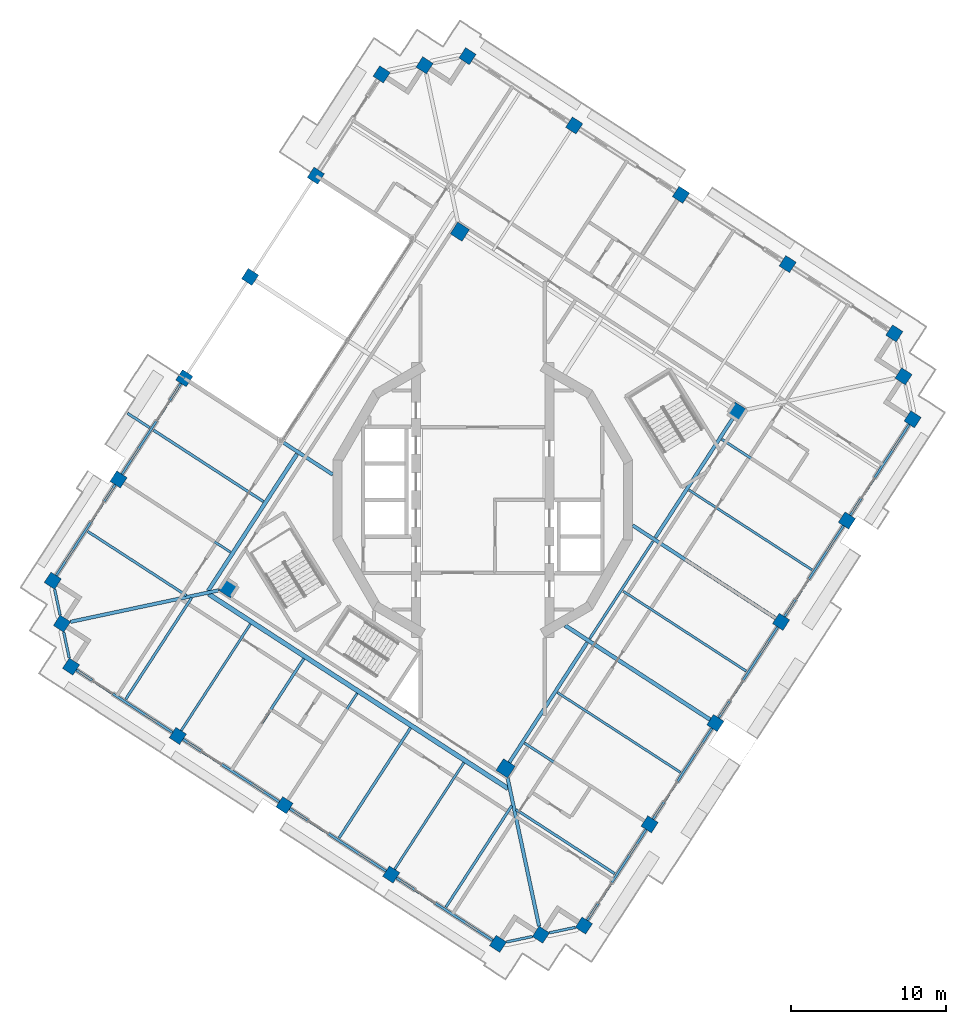
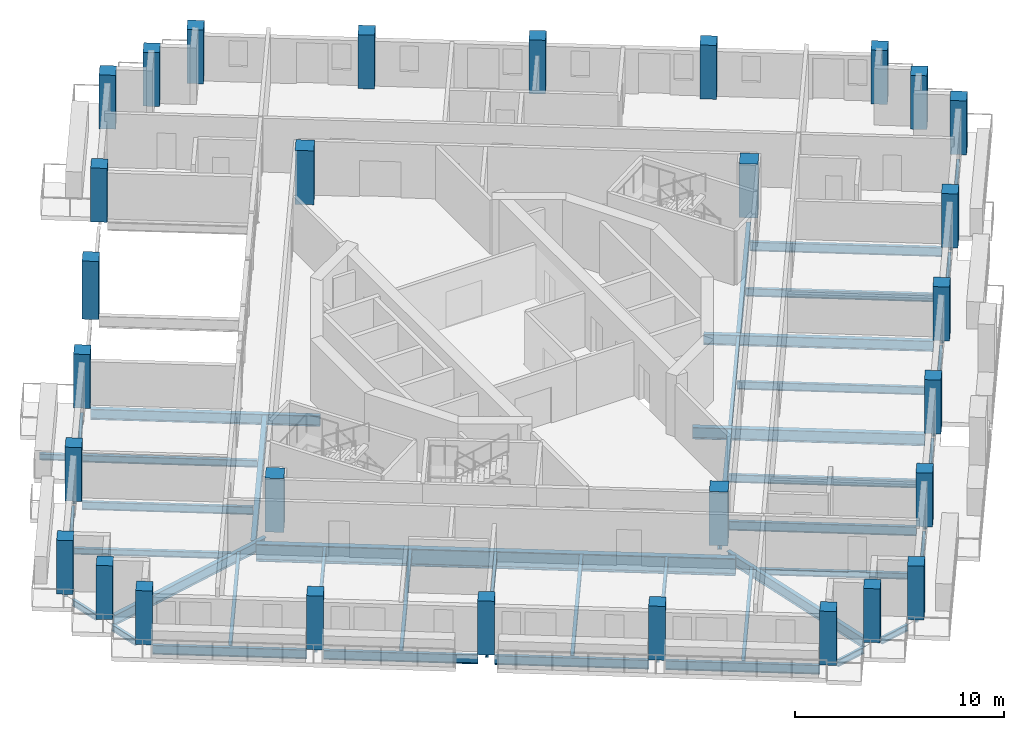
# One storey, part 1 of 17: 42 beams, 30 columns.
"""IFC4 building model written with IfcOpenShell, lengths in metres."""

from ifc_helpers import new_model, si_unit, direction, frame, origin, origin_2d, place, context, subcontext, project, spatial, rectangle, i_section, extrude, material, material_profile, profile_set, type_object, element, save


model = new_model("IFC4")

# Units and contexts
model_context = context("Model", 3, precision=1e-05, world=origin(), true_north=direction((0.0, 1.0)))
body_context = subcontext(model_context, "Body", "Model", "MODEL_VIEW")
ifc_project = project(units=[si_unit("LENGTHUNIT", "METRE"), si_unit("AREAUNIT", "SQUARE_METRE"), si_unit("VOLUMEUNIT", "CUBIC_METRE"), si_unit("PLANEANGLEUNIT", "RADIAN"), si_unit("MASSUNIT", "GRAM", prefix="KILO")], contexts=[model_context])

# Site, building, storey
site_placement = place(None, origin())
site = spatial("IfcSite", under=ifc_project, at=site_placement, CompositionType="ELEMENT")
building_placement = place(site_placement, origin())
building = spatial("IfcBuilding", under=site, at=building_placement, Name="Cantera Rosa Tower", CompositionType="ELEMENT")
storey_placement = place(building_placement, frame((0.0, 0.0, 286.5)))
storey = spatial("IfcBuildingStorey", under=building, at=storey_placement, Name="L65", CompositionType="ELEMENT", Elevation=286.5)

# Columns
ifc_material_1 = material(Name="Concrete C50/60", Category="concrete")
ifc_material_profile_1 = material_profile(ifc_material_1, rectangle(XDim=0.800048828125, YDim=0.800048828125, at=origin_2d()), Name="RC COLUMN RC800X800 C50/60")
ifc_profile_set_1 = profile_set([ifc_material_profile_1], Name="Concrete C50/60")
column_type_1 = type_object("IfcColumnType", Name="RC COLUMN RC800X800 C50/60", PredefinedType="COLUMN", material=ifc_profile_set_1)
for number, where, z_axis, x_axis, name in (
    (1, (26.52587890625, 10.73486328125, 0.0), (0.0, 0.0, 1.0), (0.544639035015, 0.838670567945, 0.0), "C-Z5-01 L65"),
    (2, (19.64892578125, 15.20068359375, 0.0), (0.0, 0.0, 1.0), (0.544639035015, 0.838670567945, 0.0), "C-Z5-02 L65"),
    (3, (12.771728515625, 19.666748046875, 0.0), (0.0, 0.0, 1.0), (0.544639035015, 0.838670567945, 0.0), "C-Z5-03 L65"),
    (4, (5.894775390625, 24.1328125, 0.0), (0.0, 0.0, 1.0), (0.544639035015, 0.838670567945, 0.0), "C-Z5-04 L65"),
    (5, (-0.982421875, 28.598876953125, 0.0), (0.0, 0.0, 1.0), (0.544639035015, 0.838670567945, 0.0), "C-Z5-05 L65"),
    (6, (-3.7490234375, 28.0107421875, 0.0), (0.0, 0.0, 1.0), (0.544639035015, 0.838670567945, 0.0), "C-Z5-06 L65"),
    (7, (-6.515625, 27.4228515625, 0.0), (0.0, 0.0, 1.0), (0.544639035015, 0.838670567945, 0.0), "C-Z5-07 L65"),
    (8, (-10.7529296875, 20.89794921875, 0.0), (0.0, 0.0, 1.0), (0.544639035015, 0.838670567945, 0.0), "C-Z5-08 L65"),
):
    element("IfcColumn", number, at=place(storey_placement, frame(where, z_axis=z_axis, x_axis=x_axis)), inside=storey, type_object=column_type_1, Name=name, PredefinedType="COLUMN", context=body_context, shape_type="SweptSolid", body=[
        extrude(rectangle(XDim=0.800048828125, YDim=0.800048828125, at=origin_2d()), origin(), (0.0, 0.0, 1.0), 3.14990234375),
    ])
column_placement = place(storey_placement, frame((-14.990234375, 14.373046875, -0.25), z_axis=(0.0, 0.0, 1.0), x_axis=(0.544639035015, 0.838670567945, 0.0)))
element("IfcColumn", 9, at=column_placement, inside=storey, type_object=column_type_1, Name="C-Z5-09 L65", PredefinedType="COLUMN", context=body_context, shape_type="SweptSolid", body=[
    extrude(rectangle(XDim=0.800048828125, YDim=0.800048828125, at=origin_2d()), origin(), (0.0, 0.0, 1.0), 3.39990234375),
])
for number, where, z_axis, x_axis, name in (
    (10, (-19.2275390625, 7.84814453125, 0.0), (0.0, 0.0, 1.0), (0.544639035015, 0.838670567945, 0.0), "C-Z5-10 L65"),
    (11, (-23.46484375, 1.3232421875, 0.0), (0.0, 0.0, 1.0), (0.544639035015, 0.838670567945, 0.0), "C-Z5-11 L65"),
    (12, (-27.7021484375, -5.201416015625, 0.0), (0.0, 0.0, 1.0), (0.544639035015, 0.838670567945, 0.0), "C-Z5-12 L65"),
    (13, (-27.114013671875, -7.968017578125, 0.0), (0.0, 0.0, 1.0), (0.544639035015, 0.838670567945, 0.0), "C-Z5-13 L65"),
    (14, (-26.52587890625, -10.73486328125, 0.0), (0.0, 0.0, 1.0), (0.544639035015, 0.838670567945, 0.0), "C-Z5-14 L65"),
    (15, (-19.64892578125, -15.20068359375, 0.0), (0.0, 0.0, 1.0), (0.544639035015, 0.838670567945, 0.0), "C-Z5-15 L65"),
    (16, (-12.771728515625, -19.666748046875, 0.0), (0.0, 0.0, 1.0), (0.544639035015, 0.838670567945, 0.0), "C-Z5-16 L65"),
    (17, (-5.894775390625, -24.1328125, 0.0), (0.0, 0.0, 1.0), (0.544639035015, 0.838670567945, 0.0), "C-Z5-17 L65"),
    (18, (0.982421875, -28.598876953125, 0.0), (0.0, 0.0, 1.0), (0.544639035015, 0.838670567945, 0.0), "C-Z5-18 L65"),
    (19, (3.7490234375, -28.0107421875, 0.0), (0.0, 0.0, 1.0), (0.544639035015, 0.838670567945, 0.0), "C-Z5-19 L65"),
    (20, (6.515625, -27.4228515625, 0.0), (0.0, 0.0, 1.0), (0.544639035015, 0.838670567945, 0.0), "C-Z5-20 L65"),
    (21, (10.7529296875, -20.89794921875, 0.0), (0.0, 0.0, 1.0), (0.544639035015, 0.838670567945, 0.0), "C-Z5-21 L65"),
    (22, (14.990234375, -14.373046875, 0.0), (0.0, 0.0, 1.0), (0.544639035015, 0.838670567945, 0.0), "C-Z5-22 L65"),
    (23, (19.2275390625, -7.84814453125, 0.0), (0.0, 0.0, 1.0), (0.544639035015, 0.838670567945, 0.0), "C-Z5-23 L65"),
    (24, (23.46484375, -1.3232421875, 0.0), (0.0, 0.0, 1.0), (0.544639035015, 0.838670567945, 0.0), "C-Z5-24 L65"),
    (25, (27.7021484375, 5.201416015625, 0.0), (0.0, 0.0, 1.0), (0.544639035015, 0.838670567945, 0.0), "C-Z5-25 L65"),
    (26, (27.114013671875, 7.968017578125, 0.0), (0.0, 0.0, 1.0), (0.544639035015, 0.838670567945, 0.0), "C-Z5-26 L65"),
):
    element("IfcColumn", number, at=place(storey_placement, frame(where, z_axis=z_axis, x_axis=x_axis)), inside=storey, type_object=column_type_1, Name=name, PredefinedType="COLUMN", context=body_context, shape_type="SweptSolid", body=[
        extrude(rectangle(XDim=0.800048828125, YDim=0.800048828125, at=origin_2d()), origin(), (0.0, 0.0, 1.0), 3.14990234375),
    ])
ifc_material_2 = material(Name="Concrete C50/60", Category="concrete")
ifc_material_profile_2 = material_profile(ifc_material_2, rectangle(XDim=0.89990234375, YDim=0.89990234375, at=origin_2d()), Name="RC RING COLUMN RC900X900 C50/60")
ifc_profile_set_2 = profile_set([ifc_material_profile_2], Name="Concrete C50/60")
column_type_2 = type_object("IfcColumnType", Name="RC RING COLUMN RC900X900 C50/60", PredefinedType="COLUMN", material=ifc_profile_set_2)
for number, where, z_axis, x_axis, name in (
    (27, (-1.47021484375, 17.290283203125, 0.0), (0.0, 0.0, 1.0), (0.544639035015, 0.838670567945, 0.0), "CI-Z5-1 L65"),
    (28, (-16.393310546875, -5.689453125, 0.0), (0.0, 0.0, 1.0), (0.544639035015, 0.838670567945, 0.0), "CI-Z5-2 L65"),
    (29, (1.47021484375, -17.290283203125, 0.0), (0.0, 0.0, 1.0), (0.544639035015, 0.838670567945, 0.0), "CI-Z5-3 L65"),
    (30, (16.393310546875, 5.689453125, 0.0), (0.0, 0.0, 1.0), (0.544639035015, 0.838670567945, 0.0), "CI-Z5-4 L65"),
):
    element("IfcColumn", number, at=place(storey_placement, frame(where, z_axis=z_axis, x_axis=x_axis)), inside=storey, type_object=column_type_2, Name=name, PredefinedType="COLUMN", context=body_context, shape_type="SweptSolid", body=[
        extrude(rectangle(XDim=0.89990234375, YDim=0.89990234375, at=origin_2d()), origin(), (0.0, 0.0, 1.0), 3.14990234375),
    ])

# Beams
ifc_material_3 = material(Name="Steel ASTM A992 (Fy 345 MPa)", Category="steel")
ifc_material_profile_3 = material_profile(ifc_material_3, i_section(OverallWidth=0.302001953125, OverallDepth=1.010009765625, WebThickness=0.02099609375, FlangeThickness=0.0400390625, FilletRadius=0.030029296875, at=origin_2d()), Name="W1000X350")
ifc_profile_set_3 = profile_set([ifc_material_profile_3], Name="Steel ASTM A992 (Fy 345 MPa)")
beam_type_1 = type_object("IfcBeamType", Name="STEEL BEAM W1000X350", PredefinedType="BEAM", material=ifc_profile_set_3)
beam_1_placement = place(storey_placement, frame((1.638427734375, -18.591796875, -0.7548828125), z_axis=(-0.838670783857, 0.544638702539, 0.0), x_axis=(-0.544638702539, -0.838670783857, 0.0)))
element("IfcBeam", 31, at=beam_1_placement, inside=storey, type_object=beam_type_1, Name="RB-Z5-09 L65", PredefinedType="BEAM", context=body_context, shape_type="SweptSolid", body=[
    extrude(i_section(OverallWidth=0.302001953125, OverallDepth=1.010009765625, WebThickness=0.02099609375, FlangeThickness=0.0400390625, FilletRadius=0.030029296875, at=origin_2d()), origin(), (0.0, 0.0, 1.0), 22.999755859375),
])
ifc_material_4 = material(Name="Steel ASTM A992 (Fy 345 MPa)", Category="steel")
ifc_material_profile_4 = material_profile(ifc_material_4, i_section(OverallWidth=0.154052734375, OverallDepth=0.4599609375, WebThickness=0.009033203125, FlangeThickness=0.015380859375, FilletRadius=0.01025390625, at=origin_2d()), Name="W460X68")
ifc_profile_set_4 = profile_set([ifc_material_profile_4], Name="Steel ASTM A992 (Fy 345 MPa)")
beam_type_2 = type_object("IfcBeamType", Name="STEEL BEAM W460X68", PredefinedType="BEAM", material=ifc_profile_set_4)
beam_2_placement = place(storey_placement, frame((-23.12939453125, 1.10546875, -0.47998046875), z_axis=(0.838672777751, -0.544635632198, 0.0), x_axis=(0.544635632198, 0.838672777751, 0.0)))
element("IfcBeam", 32, at=beam_2_placement, inside=storey, type_object=beam_type_2, Name="G-Z5-07 L65", PredefinedType="BEAM", context=body_context, shape_type="SweptSolid", body=[
    extrude(i_section(OverallWidth=0.154052734375, OverallDepth=0.4599609375, WebThickness=0.009033203125, FlangeThickness=0.015380859375, FilletRadius=0.01025390625, at=origin_2d()), origin(), (0.0, 0.0, 1.0), 8.2001953125),
])
beam_3_placement = place(storey_placement, frame((-19.430908203125, -14.865234375, -0.47998046875), z_axis=(0.54462828985, 0.838677545839, 0.0), x_axis=(-0.838677545839, 0.54462828985, 0.0)))
element("IfcBeam", 33, at=beam_3_placement, inside=storey, type_object=beam_type_2, Name="G-Z5-12 L65", PredefinedType="BEAM", context=body_context, shape_type="SweptSolid", body=[
    extrude(i_section(OverallWidth=0.154052734375, OverallDepth=0.4599609375, WebThickness=0.009033203125, FlangeThickness=0.015380859375, FilletRadius=0.01025390625, at=origin_2d()), origin(), (0.0, 0.0, 1.0), 8.19970703125),
])
for number, where, z_axis, x_axis, name in (
    (34, (-12.553955078125, -19.331298828125, -0.47998046875), (0.544649231865, 0.838663945945, 0.0), (-0.838663945945, 0.544649231865, 0.0), "G-Z5-13 L65"),
    (35, (-5.6767578125, -23.79736328125, -0.47998046875), (0.544649231865, 0.838663945945, 0.0), (-0.838663945945, 0.544649231865, 0.0), "G-Z5-14 L65"),
):
    element("IfcBeam", number, at=place(storey_placement, frame(where, z_axis=z_axis, x_axis=x_axis)), inside=storey, type_object=beam_type_2, Name=name, PredefinedType="BEAM", context=body_context, shape_type="SweptSolid", body=[
        extrude(i_section(OverallWidth=0.154052734375, OverallDepth=0.4599609375, WebThickness=0.009033203125, FlangeThickness=0.015380859375, FilletRadius=0.01025390625, at=origin_2d()), origin(), (0.0, 0.0, 1.0), 8.199951171875),
    ])
ifc_material_5 = material(Name="Steel ASTM A992 (Fy 345 MPa)", Category="steel")
ifc_material_profile_5 = material_profile(ifc_material_5, i_section(OverallWidth=0.166015625, OverallDepth=0.528076171875, WebThickness=0.009765625, FlangeThickness=0.013671875, FilletRadius=0.0126953125, at=origin_2d()), Name="W530X74")
ifc_profile_set_5 = profile_set([ifc_material_profile_5], Name="Steel ASTM A992 (Fy 345 MPa)")
beam_type_3 = type_object("IfcBeamType", Name="STEEL BEAM W530X74", PredefinedType="BEAM", material=ifc_profile_set_5)
for number, where, z_axis, x_axis, name in (
    (36, (10.41748046875, -20.68017578125, -0.513916015625), (-0.838669083999, 0.544641320086, 0.0), (-0.544641320086, -0.838669083999, 0.0), "G-Z5-08 L65"),
    (37, (23.12939453125, -1.10546875, -0.513916015625), (-0.838669083999, 0.544641320086, 0.0), (-0.544641320086, -0.838669083999, 0.0), "G-Z5-11 L65"),
):
    element("IfcBeam", number, at=place(storey_placement, frame(where, z_axis=z_axis, x_axis=x_axis)), inside=storey, type_object=beam_type_3, Name=name, PredefinedType="BEAM", context=body_context, shape_type="SweptSolid", body=[
        extrude(i_section(OverallWidth=0.166015625, OverallDepth=0.528076171875, WebThickness=0.009765625, FlangeThickness=0.013671875, FilletRadius=0.0126953125, at=origin_2d()), origin(), (0.0, 0.0, 1.0), 9.2001953125),
    ])
beam_4_placement = place(storey_placement, frame((6.894775390625, -8.93701171875, -0.513916015625), z_axis=(0.544649868382, 0.838663532575, 0.0), x_axis=(-0.838663532575, 0.544649868382, 0.0)))
element("IfcBeam", 38, at=beam_4_placement, inside=storey, type_object=beam_type_3, Name="RB-Z5-05 L65", PredefinedType="BEAM", context=body_context, shape_type="SweptSolid", body=[
    extrude(i_section(OverallWidth=0.166015625, OverallDepth=0.528076171875, WebThickness=0.009765625, FlangeThickness=0.013671875, FilletRadius=0.0126953125, at=origin_2d()), origin(), (0.0, 0.0, 1.0), 7.47998046875),
])
ifc_material_6 = material(Name="Steel ASTM A992 (Fy 345 MPa)", Category="steel")
ifc_material_profile_6 = material_profile(ifc_material_6, i_section(OverallWidth=0.22802734375, OverallDepth=0.60205078125, WebThickness=0.010498046875, FlangeThickness=0.014892578125, FilletRadius=0.0126953125, at=origin_2d()), Name="W610X101")
ifc_profile_set_6 = profile_set([ifc_material_profile_6], Name="Steel ASTM A992 (Fy 345 MPa)")
beam_type_4 = type_object("IfcBeamType", Name="STEEL BEAM W610X101", PredefinedType="BEAM", material=ifc_profile_set_6)
for number, where, z_axis, x_axis, name in (
    (39, (-26.560791015625, -7.8505859375, -0.551025390625), (0.978148167214, 0.20790902572, 0.0), (-0.20790902572, 0.978148167214, 0.0), "CB-Z5-02 L65"),
    (40, (3.63134765625, -27.45751953125, -0.551025390625), (-0.20790902572, 0.978148167214, 0.0), (-0.978148167214, -0.20790902572, 0.0), "CB-Z5-03 L65"),
):
    element("IfcBeam", number, at=place(storey_placement, frame(where, z_axis=z_axis, x_axis=x_axis)), inside=storey, type_object=beam_type_4, Name=name, PredefinedType="BEAM", context=body_context, shape_type="SweptSolid", body=[
        extrude(i_section(OverallWidth=0.22802734375, OverallDepth=0.60205078125, WebThickness=0.010498046875, FlangeThickness=0.014892578125, FilletRadius=0.0126953125, at=origin_2d()), origin(), (0.0, 0.0, 1.0), 9.758056640625),
    ])
for number, where, z_axis, x_axis, name in (
    (41, (1.71533203125, -16.912841796875, -0.551025390625), (0.54463982867, 0.838670052539, 0.0), (-0.838670052539, 0.54463982867, 0.0), "RB-Z5-04 L65"),
    (42, (11.132080078125, -2.412109375, -0.551025390625), (0.54463982867, 0.838670052539, 0.0), (-0.838670052539, 0.54463982867, 0.0), "RB-Z5-06 L65"),
):
    element("IfcBeam", number, at=place(storey_placement, frame(where, z_axis=z_axis, x_axis=x_axis)), inside=storey, type_object=beam_type_4, Name=name, PredefinedType="BEAM", context=body_context, shape_type="SweptSolid", body=[
        extrude(i_section(OverallWidth=0.22802734375, OverallDepth=0.60205078125, WebThickness=0.010498046875, FlangeThickness=0.014892578125, FilletRadius=0.0126953125, at=origin_2d()), origin(), (0.0, 0.0, 1.0), 9.2099609375),
    ])
ifc_material_7 = material(Name="Steel ASTM A992 (Fy 345 MPa)", Category="steel")
ifc_material_profile_7 = material_profile(ifc_material_7, i_section(OverallWidth=0.22900390625, OverallDepth=0.612060546875, WebThickness=0.011962890625, FlangeThickness=0.01953125, FilletRadius=0.0126953125, at=origin_2d()), Name="W610X125")
ifc_profile_set_7 = profile_set([ifc_material_profile_7], Name="Steel ASTM A992 (Fy 345 MPa)")
beam_type_5 = type_object("IfcBeamType", Name="STEEL BEAM W610X125", PredefinedType="BEAM", material=ifc_profile_set_7)
for number, where, z_axis, x_axis, name in (
    (43, (-18.89208984375, 7.63037109375, -0.555908203125), (0.838673569952, -0.544634412302, 0.0), (0.544634412302, 0.838673569952, 0.0), "G-Z5-06 L65"),
    (44, (18.89208984375, -7.63037109375, -0.555908203125), (-0.838673569952, 0.544634412302, 0.0), (-0.544634412302, -0.838673569952, 0.0), "G-Z5-10 L65"),
):
    element("IfcBeam", number, at=place(storey_placement, frame(where, z_axis=z_axis, x_axis=x_axis)), inside=storey, type_object=beam_type_5, Name=name, PredefinedType="BEAM", context=body_context, shape_type="SweptSolid", body=[
        extrude(i_section(OverallWidth=0.22900390625, OverallDepth=0.612060546875, WebThickness=0.011962890625, FlangeThickness=0.01953125, FilletRadius=0.0126953125, at=origin_2d()), origin(), (0.0, 0.0, 1.0), 11.009033203125),
    ])
ifc_material_8 = material(Name="Steel ASTM A992 (Fy 345 MPa)", Category="steel")
ifc_material_profile_8 = material_profile(ifc_material_8, i_section(OverallWidth=0.25390625, OverallDepth=0.677978515625, WebThickness=0.01171875, FlangeThickness=0.016357421875, FilletRadius=0.01513671875, at=origin_2d()), Name="W690X125")
ifc_profile_set_8 = profile_set([ifc_material_profile_8], Name="Steel ASTM A992 (Fy 345 MPa)")
beam_type_6 = type_object("IfcBeamType", Name="STEEL BEAM W690X125", PredefinedType="BEAM", material=ifc_profile_set_8)
beam_5_placement = place(storey_placement, frame((14.65478515625, -14.1552734375, -0.589111328125), z_axis=(-0.838661833747, 0.544652484265, 0.0), x_axis=(-0.544652484265, -0.838661833747, 0.0)))
element("IfcBeam", 45, at=beam_5_placement, inside=storey, type_object=beam_type_6, Name="G-Z5-09 L65", PredefinedType="BEAM", context=body_context, shape_type="SweptSolid", body=[
    extrude(i_section(OverallWidth=0.25390625, OverallDepth=0.677978515625, WebThickness=0.01171875, FlangeThickness=0.016357421875, FilletRadius=0.01513671875, at=origin_2d()), origin(), (0.0, 0.0, 1.0), 11.141357421875),
])
beam_6_placement = place(storey_placement, frame((-17.695068359375, -5.857666015625, -0.589111328125), z_axis=(0.544635575355, 0.838672814665, 0.0), x_axis=(-0.838672814665, 0.544635575355, 0.0)))
element("IfcBeam", 46, at=beam_6_placement, inside=storey, type_object=beam_type_6, Name="RB-Z5-01 L65", PredefinedType="BEAM", context=body_context, shape_type="SweptSolid", body=[
    extrude(i_section(OverallWidth=0.25390625, OverallDepth=0.677978515625, WebThickness=0.01171875, FlangeThickness=0.016357421875, FilletRadius=0.01513671875, at=origin_2d()), origin(), (0.0, 0.0, 1.0), 10.510009765625),
])
ifc_material_9 = material(Name="Steel ASTM A992 (Fy 345 MPa)", Category="steel")
ifc_material_profile_9 = material_profile(ifc_material_9, i_section(OverallWidth=0.1708984375, OverallDepth=0.35595703125, WebThickness=0.00732421875, FlangeThickness=0.01171875, FilletRadius=0.010009765625, at=origin_2d()), Name="W360X51")
ifc_profile_set_9 = profile_set([ifc_material_profile_9], Name="Steel ASTM A992 (Fy 345 MPa)")
beam_type_7 = type_object("IfcBeamType", Name="STEEL JOIST W360X51", PredefinedType="JOIST", material=ifc_profile_set_9)
beam_7_placement = place(storey_placement, frame((-25.457763671875, -2.020751953125, -0.427978515625), z_axis=(0.838680170462, -0.54462424815, 0.0), x_axis=(0.54462424815, 0.838680170462, 0.0)))
element("IfcBeam", 47, at=beam_7_placement, inside=storey, type_object=beam_type_7, Name="B-Z5-09 L65", PredefinedType="JOIST", context=body_context, shape_type="SweptSolid", body=[
    extrude(i_section(OverallWidth=0.1708984375, OverallDepth=0.35595703125, WebThickness=0.00732421875, FlangeThickness=0.01171875, FilletRadius=0.010009765625, at=origin_2d()), origin(), (0.0, 0.0, 1.0), 7.590087890625),
])
beam_8_placement = place(storey_placement, frame((8.508544921875, -24.07861328125, -0.427978515625), z_axis=(-0.838670629323, 0.544638940502, 0.0), x_axis=(-0.544638940502, -0.838670629323, 0.0)))
element("IfcBeam", 48, at=beam_8_placement, inside=storey, type_object=beam_type_7, Name="B-Z5-10 L65", PredefinedType="JOIST", context=body_context, shape_type="SweptSolid", body=[
    extrude(i_section(OverallWidth=0.1708984375, OverallDepth=0.35595703125, WebThickness=0.00732421875, FlangeThickness=0.01171875, FilletRadius=0.010009765625, at=origin_2d()), origin(), (0.0, 0.0, 1.0), 7.58984375),
])
for number, where, z_axis, x_axis, name in (
    (49, (-23.005859375, -12.842041015625, -0.427978515625), (0.544641754757, 0.838668801718, 0.0), (-0.838668801718, 0.544641754757, 0.0), "B-Z5-15 L65"),
    (50, (-2.37451171875, -26.239990234375, -0.427978515625), (0.54465605183, 0.838659516851, 0.0), (-0.838659516851, 0.54465605183, 0.0), "B-Z5-18 L65"),
):
    element("IfcBeam", number, at=place(storey_placement, frame(where, z_axis=z_axis, x_axis=x_axis)), inside=storey, type_object=beam_type_7, Name=name, PredefinedType="JOIST", context=body_context, shape_type="SweptSolid", body=[
        extrude(i_section(OverallWidth=0.1708984375, OverallDepth=0.35595703125, WebThickness=0.00732421875, FlangeThickness=0.01171875, FilletRadius=0.010009765625, at=origin_2d()), origin(), (0.0, 0.0, 1.0), 7.800048828125),
    ])
beam_9_placement = place(storey_placement, frame((-21.455078125, 4.656494140625, -0.427978515625), z_axis=(-0.838632369661, 0.544697850699, 0.0), x_axis=(-0.544697850699, -0.838632369661, 0.0)))
element("IfcBeam", 51, at=beam_9_placement, inside=storey, type_object=beam_type_7, Name="BS-Z5-04 L65", PredefinedType="JOIST", context=body_context, shape_type="SweptSolid", body=[
    extrude(i_section(OverallWidth=0.1708984375, OverallDepth=0.35595703125, WebThickness=0.00732421875, FlangeThickness=0.01171875, FilletRadius=0.010009765625, at=origin_2d()), origin(), (0.0, 0.0, 1.0), 1.713623046875),
])
ifc_material_10 = material(Name="Steel ASTM A992 (Fy 345 MPa)", Category="steel")
ifc_material_profile_10 = material_profile(ifc_material_10, i_section(OverallWidth=0.177978515625, OverallDepth=0.406005859375, WebThickness=0.0078125, FlangeThickness=0.0126953125, FilletRadius=0.01025390625, at=origin_2d()), Name="W410X60")
ifc_profile_set_10 = profile_set([ifc_material_profile_10], Name="Steel ASTM A992 (Fy 345 MPa)")
beam_type_8 = type_object("IfcBeamType", Name="STEEL JOIST W410X60", PredefinedType="JOIST", material=ifc_profile_set_10)
for number, where, z_axis, x_axis, name in (
    (52, (-21.220458984375, 4.504150390625, -0.452880859375), (0.838670615657, -0.544638961546, 0.0), (0.544638961546, 0.838670615657, 0.0), "B-Z5-08 L65"),
    (53, (-16.128662109375, -17.30810546875, -0.452880859375), (0.544638961546, 0.838670615657, 0.0), (-0.838670615657, 0.544638961546, 0.0), "B-Z5-16 L65"),
):
    element("IfcBeam", number, at=place(storey_placement, frame(where, z_axis=z_axis, x_axis=x_axis)), inside=storey, type_object=beam_type_8, Name=name, PredefinedType="JOIST", context=body_context, shape_type="SweptSolid", body=[
        extrude(i_section(OverallWidth=0.177978515625, OverallDepth=0.406005859375, WebThickness=0.0078125, FlangeThickness=0.0126953125, FilletRadius=0.01025390625, at=origin_2d()), origin(), (0.0, 0.0, 1.0), 8.4501953125),
    ])
beam_10_placement = place(storey_placement, frame((-9.25146484375, -21.77392578125, -0.452880859375), z_axis=(0.544631836652, 0.838675242573, 0.0), x_axis=(-0.838675242573, 0.544631836652, 0.0)))
element("IfcBeam", 54, at=beam_10_placement, inside=storey, type_object=beam_type_8, Name="B-Z5-17 L65", PredefinedType="JOIST", context=body_context, shape_type="SweptSolid", body=[
    extrude(i_section(OverallWidth=0.177978515625, OverallDepth=0.406005859375, WebThickness=0.0078125, FlangeThickness=0.0126953125, FilletRadius=0.01025390625, at=origin_2d()), origin(), (0.0, 0.0, 1.0), 8.449951171875),
])
ifc_material_11 = material(Name="Steel ASTM A992 (Fy 345 MPa)", Category="steel")
ifc_material_profile_11 = material_profile(ifc_material_11, i_section(OverallWidth=0.154052734375, OverallDepth=0.4599609375, WebThickness=0.009033203125, FlangeThickness=0.015380859375, FilletRadius=0.01025390625, at=origin_2d()), Name="W460X68")
ifc_profile_set_11 = profile_set([ifc_material_profile_11], Name="Steel ASTM A992 (Fy 345 MPa)")
beam_type_9 = type_object("IfcBeamType", Name="STEEL JOIST W460X68", PredefinedType="JOIST", material=ifc_profile_set_11)
beam_11_placement = place(storey_placement, frame((12.745849609375, -17.5537109375, -0.47998046875), z_axis=(-0.838679048974, 0.544625975154, 0.0), x_axis=(-0.544625975154, -0.838679048974, 0.0)))
element("IfcBeam", 55, at=beam_11_placement, inside=storey, type_object=beam_type_9, Name="B-Z5-11 L65", PredefinedType="JOIST", context=body_context, shape_type="SweptSolid", body=[
    extrude(i_section(OverallWidth=0.154052734375, OverallDepth=0.4599609375, WebThickness=0.009033203125, FlangeThickness=0.015380859375, FilletRadius=0.01025390625, at=origin_2d()), origin(), (0.0, 0.0, 1.0), 9.449951171875),
])
for number, where, z_axis, x_axis, name in (
    (56, (16.983154296875, -11.029052734375, -0.47998046875), (-0.838667248419, 0.544644146603, 0.0), (-0.544644146603, -0.838667248419, 0.0), "B-Z5-12 L65"),
    (57, (21.220458984375, -4.504150390625, -0.47998046875), (-0.838667248419, 0.544644146603, 0.0), (-0.544644146603, -0.838667248419, 0.0), "B-Z5-13 L65"),
):
    element("IfcBeam", number, at=place(storey_placement, frame(where, z_axis=z_axis, x_axis=x_axis)), inside=storey, type_object=beam_type_9, Name=name, PredefinedType="JOIST", context=body_context, shape_type="SweptSolid", body=[
        extrude(i_section(OverallWidth=0.154052734375, OverallDepth=0.4599609375, WebThickness=0.009033203125, FlangeThickness=0.015380859375, FilletRadius=0.01025390625, at=origin_2d()), origin(), (0.0, 0.0, 1.0), 9.4501953125),
    ])
ifc_material_12 = material(Name="Steel ASTM A992 (Fy 345 MPa)", Category="steel")
ifc_material_profile_12 = material_profile(ifc_material_12, i_section(OverallWidth=0.1708984375, OverallDepth=0.35595703125, WebThickness=0.00732421875, FlangeThickness=0.01171875, FilletRadius=0.010009765625, at=origin_2d()), Name="W360X51")
ifc_profile_set_12 = profile_set([ifc_material_profile_12], Name="Steel ASTM A992 (Fy 345 MPa)")
beam_type_10 = type_object("IfcBeamType", Name="STEEL SPANDREL BEAM W360X51", PredefinedType="SPANDREL", material=ifc_profile_set_12)
for number, where, z_axis, x_axis, name in (
    (58, (-27.58447265625, -5.7548828125, -0.427978515625), (0.207888006632, -0.978152634663, 0.0), (0.978152634663, 0.207888006632, 0.0), "EB-Z5-12 L65"),
    (59, (-26.996337890625, -8.521484375, -0.427978515625), (0.207888006632, -0.978152634663, 0.0), (0.978152634663, 0.207888006632, 0.0), "EB-Z5-13 L65"),
):
    element("IfcBeam", number, at=place(storey_placement, frame(where, z_axis=z_axis, x_axis=x_axis)), inside=storey, type_object=beam_type_10, Name=name, PredefinedType="SPANDREL", context=body_context, shape_type="SweptSolid", body=[
        extrude(i_section(OverallWidth=0.1708984375, OverallDepth=0.35595703125, WebThickness=0.00732421875, FlangeThickness=0.01171875, FilletRadius=0.010009765625, at=origin_2d()), origin(), (0.0, 0.0, 1.0), 1.697021484375),
    ])
for number, where, z_axis, x_axis, name in (
    (60, (1.53564453125, -28.481201171875, -0.427978515625), (0.978158850918, 0.20785875582, 0.0), (-0.20785875582, 0.978158850918, 0.0), "EB-Z5-18 L65"),
    (61, (4.30224609375, -27.893310546875, -0.427978515625), (0.978129595322, 0.207996381593, 0.0), (-0.207996381593, 0.978129595322, 0.0), "EB-Z5-19 L65"),
):
    element("IfcBeam", number, at=place(storey_placement, frame(where, z_axis=z_axis, x_axis=x_axis)), inside=storey, type_object=beam_type_10, Name=name, PredefinedType="SPANDREL", context=body_context, shape_type="SweptSolid", body=[
        extrude(i_section(OverallWidth=0.1708984375, OverallDepth=0.35595703125, WebThickness=0.00732421875, FlangeThickness=0.01171875, FilletRadius=0.010009765625, at=origin_2d()), origin(), (0.0, 0.0, 1.0), 1.697265625),
    ])
ifc_material_13 = material(Name="Steel ASTM A992 (Fy 345 MPa)", Category="steel")
ifc_material_profile_13 = material_profile(ifc_material_13, i_section(OverallWidth=0.154052734375, OverallDepth=0.4599609375, WebThickness=0.009033203125, FlangeThickness=0.015380859375, FilletRadius=0.01025390625, at=origin_2d()), Name="W460X68")
ifc_profile_set_13 = profile_set([ifc_material_profile_13], Name="Steel ASTM A992 (Fy 345 MPa)")
beam_type_11 = type_object("IfcBeamType", Name="STEEL SPANDREL BEAM W460X68", PredefinedType="SPANDREL", material=ifc_profile_set_13)
for number, where, z_axis, x_axis, name in (
    (62, (-19.4453125, 7.5126953125, -0.47998046875), (-0.544667428764, -0.838652128146, 0.0), (0.838652128146, -0.544667428764, 0.0), "EB-Z5-10 L65"),
    (63, (-23.6826171875, 0.98779296875, -0.47998046875), (-0.544667428764, -0.838652128146, 0.0), (0.838652128146, -0.544667428764, 0.0), "EB-Z5-11 L65"),
):
    element("IfcBeam", number, at=place(storey_placement, frame(where, z_axis=z_axis, x_axis=x_axis)), inside=storey, type_object=beam_type_11, Name=name, PredefinedType="SPANDREL", context=body_context, shape_type="SweptSolid", body=[
        extrude(i_section(OverallWidth=0.154052734375, OverallDepth=0.4599609375, WebThickness=0.009033203125, FlangeThickness=0.015380859375, FilletRadius=0.01025390625, at=origin_2d()), origin(), (0.0, 0.0, 1.0), 6.97998046875),
    ])
for number, where, z_axis, x_axis, name in (
    (64, (6.7333984375, -27.08740234375, -0.47998046875), (0.544651451949, 0.838662504164, 0.0), (-0.838662504164, 0.544651451949, 0.0), "EB-Z5-20 L65"),
    (65, (10.970703125, -20.5625, -0.47998046875), (0.544651451949, 0.838662504164, 0.0), (-0.838662504164, 0.544651451949, 0.0), "EB-Z5-21 L65"),
    (66, (15.2080078125, -14.03759765625, -0.47998046875), (0.544651451949, 0.838662504164, 0.0), (-0.838662504164, 0.544651451949, 0.0), "EB-Z5-22 L65"),
):
    element("IfcBeam", number, at=place(storey_placement, frame(where, z_axis=z_axis, x_axis=x_axis)), inside=storey, type_object=beam_type_11, Name=name, PredefinedType="SPANDREL", context=body_context, shape_type="SweptSolid", body=[
        extrude(i_section(OverallWidth=0.154052734375, OverallDepth=0.4599609375, WebThickness=0.009033203125, FlangeThickness=0.015380859375, FilletRadius=0.01025390625, at=origin_2d()), origin(), (0.0, 0.0, 1.0), 6.980224609375),
    ])
for number, where, z_axis, x_axis, name in (
    (67, (19.4453125, -7.5126953125, -0.47998046875), (0.544667428764, 0.838652128146, 0.0), (-0.838652128146, 0.544667428764, 0.0), "EB-Z5-23 L65"),
    (68, (23.6826171875, -0.98779296875, -0.47998046875), (0.544667428764, 0.838652128146, 0.0), (-0.838652128146, 0.544667428764, 0.0), "EB-Z5-24 L65"),
):
    element("IfcBeam", number, at=place(storey_placement, frame(where, z_axis=z_axis, x_axis=x_axis)), inside=storey, type_object=beam_type_11, Name=name, PredefinedType="SPANDREL", context=body_context, shape_type="SweptSolid", body=[
        extrude(i_section(OverallWidth=0.154052734375, OverallDepth=0.4599609375, WebThickness=0.009033203125, FlangeThickness=0.015380859375, FilletRadius=0.01025390625, at=origin_2d()), origin(), (0.0, 0.0, 1.0), 6.97998046875),
    ])
ifc_material_14 = material(Name="Steel ASTM A992 (Fy 345 MPa)", Category="steel")
ifc_material_profile_14 = material_profile(ifc_material_14, i_section(OverallWidth=0.166015625, OverallDepth=0.528076171875, WebThickness=0.009765625, FlangeThickness=0.013671875, FilletRadius=0.0126953125, at=origin_2d()), Name="W530X74")
ifc_profile_set_14 = profile_set([ifc_material_profile_14], Name="Steel ASTM A992 (Fy 345 MPa)")
beam_type_12 = type_object("IfcBeamType", Name="STEEL SPANDREL BEAM W530X74", PredefinedType="SPANDREL", material=ifc_profile_set_14)
beam_12_placement = place(storey_placement, frame((-26.1904296875, -10.95263671875, -0.513916015625), z_axis=(0.838669679097, -0.544640403719, 0.0), x_axis=(0.544640403719, 0.838669679097, 0.0)))
element("IfcBeam", 69, at=beam_12_placement, inside=storey, type_object=beam_type_12, Name="EB-Z5-14 L65", PredefinedType="SPANDREL", context=body_context, shape_type="SweptSolid", body=[
    extrude(i_section(OverallWidth=0.166015625, OverallDepth=0.528076171875, WebThickness=0.009765625, FlangeThickness=0.013671875, FilletRadius=0.0126953125, at=origin_2d()), origin(), (0.0, 0.0, 1.0), 7.39990234375),
])
beam_13_placement = place(storey_placement, frame((-19.3134765625, -15.418701171875, -0.513916015625), z_axis=(0.838679465365, -0.544625333946, 0.0), x_axis=(0.544625333946, 0.838679465365, 0.0)))
element("IfcBeam", 70, at=beam_13_placement, inside=storey, type_object=beam_type_12, Name="EB-Z5-15 L65", PredefinedType="SPANDREL", context=body_context, shape_type="SweptSolid", body=[
    extrude(i_section(OverallWidth=0.166015625, OverallDepth=0.528076171875, WebThickness=0.009765625, FlangeThickness=0.013671875, FilletRadius=0.0126953125, at=origin_2d()), origin(), (0.0, 0.0, 1.0), 7.400146484375),
])
beam_14_placement = place(storey_placement, frame((-12.436279296875, -19.884765625, -0.513916015625), z_axis=(0.838669679097, -0.544640403719, 0.0), x_axis=(0.544640403719, 0.838669679097, 0.0)))
element("IfcBeam", 71, at=beam_14_placement, inside=storey, type_object=beam_type_12, Name="EB-Z5-16 L65", PredefinedType="SPANDREL", context=body_context, shape_type="SweptSolid", body=[
    extrude(i_section(OverallWidth=0.166015625, OverallDepth=0.528076171875, WebThickness=0.009765625, FlangeThickness=0.013671875, FilletRadius=0.0126953125, at=origin_2d()), origin(), (0.0, 0.0, 1.0), 7.39990234375),
])
beam_15_placement = place(storey_placement, frame((-5.559326171875, -24.350830078125, -0.513916015625), z_axis=(0.838679465365, -0.544625333946, 0.0), x_axis=(0.544625333946, 0.838679465365, 0.0)))
element("IfcBeam", 72, at=beam_15_placement, inside=storey, type_object=beam_type_12, Name="EB-Z5-17 L65", PredefinedType="SPANDREL", context=body_context, shape_type="SweptSolid", body=[
    extrude(i_section(OverallWidth=0.166015625, OverallDepth=0.528076171875, WebThickness=0.009765625, FlangeThickness=0.013671875, FilletRadius=0.0126953125, at=origin_2d()), origin(), (0.0, 0.0, 1.0), 7.400146484375),
])

save(model, "model.ifc")
